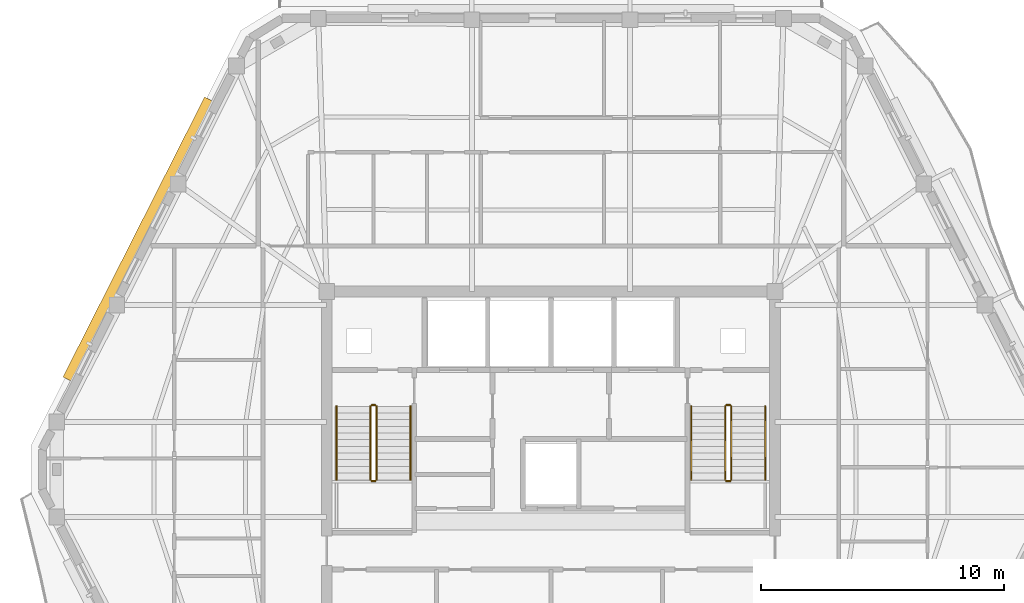
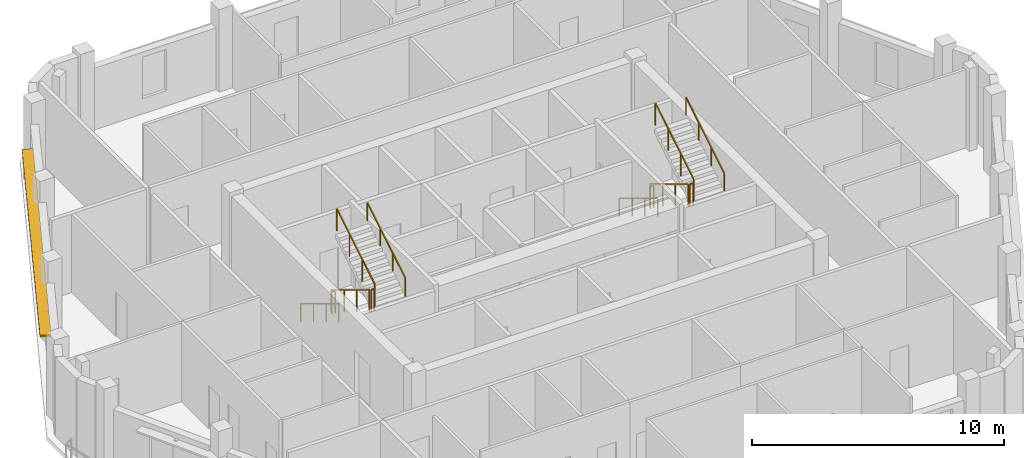
# One storey, part 10 of 11: 12 railings, 1 shading device.
"""IFC4 building model written with IfcOpenShell, lengths in metres."""

import ifcopenshell
import ifcopenshell.guid

model = None  # the IFC model being written
_history = None  # IfcOwnerHistory: only IFC2X3 demands one
_inside = {}  # id of a spatial element -> (the spatial element, [elements in it])
_under = {}  # id of a project, library or spatial element -> (it, [spatial elements below it])
_declared = {}  # id of a project -> (the project, [libraries it declares])
_typed = {}  # id of a type object -> (the type object, [elements of that type])
_made_of = {}  # id of a material, layer set ... -> (it, [elements and type objects made of it])


def new_model(schema):
    """Start an empty IFC model of exactly this schema.

    Asked for "IFC4X3", IfcOpenShell would pick the latest addendum, in which some entities
    have other attributes; the version numbers below select the first issue.
    IFC2X3 requires an IfcOwnerHistory on every rooted entity: one is made here for all.
    """
    global model, _history
    if schema == "IFC4X3":
        model = ifcopenshell.file(schema_version=(4, 3, 0, 0))
    else:
        model = ifcopenshell.file(schema=schema)
    _inside.clear()
    _under.clear()
    _declared.clear()
    _typed.clear()
    _made_of.clear()
    _history = None
    if model.schema == "IFC2X3":
        org = make("IfcOrganization", Name="unknown")
        user = make(
            "IfcPersonAndOrganization",
            ThePerson=make("IfcPerson", FamilyName="unknown"),
            TheOrganization=org,
        )
        app = make(
            "IfcApplication",
            ApplicationDeveloper=org,
            Version="unknown",
            ApplicationFullName="unknown",
            ApplicationIdentifier="unknown",
        )
        _history = make(
            "IfcOwnerHistory",
            OwningUser=user,
            OwningApplication=app,
            ChangeAction="ADDED",
            CreationDate=0,
        )
    return model


def make(cls, **values):
    """One entity of the class cls with the attributes given. An attribute that is None is left unset."""
    return model.create_entity(
        cls, **{name: value for name, value in values.items() if value is not None}
    )


def rooted(cls, **values):
    """An entity with a GlobalId (a new one), such as an element, a storey or a relation."""
    return make(cls, GlobalId=ifcopenshell.guid.new(), OwnerHistory=_history, **values)


def si_unit(unit_type, name, prefix=None):
    """IfcSIUnit, for example si_unit("LENGTHUNIT", "METRE", prefix="MILLI")."""
    return make("IfcSIUnit", UnitType=unit_type, Prefix=prefix, Name=name)


def assignment(units):
    """IfcUnitAssignment: the units of a project."""
    return None if units is None else make("IfcUnitAssignment", Units=units)


def point(xyz):
    """IfcCartesianPoint."""
    return None if xyz is None else make("IfcCartesianPoint", Coordinates=xyz)


def direction(xyz):
    """IfcDirection."""
    return None if xyz is None else make("IfcDirection", DirectionRatios=xyz)


def frame(location, z_axis=None, x_axis=None):
    """IfcAxis2Placement3D, a coordinate frame: its origin and axes. An axis left out is left unset."""
    return make(
        "IfcAxis2Placement3D",
        Location=point(location),
        Axis=direction(z_axis),
        RefDirection=direction(x_axis),
    )


def frame_2d(location, x_axis=None):
    """IfcAxis2Placement2D, a coordinate frame in the plane: its origin and x axis."""
    return make(
        "IfcAxis2Placement2D", Location=point(location), RefDirection=direction(x_axis)
    )


def origin():
    """The frame at (0, 0, 0) with its axes left unset."""
    return frame((0.0, 0.0, 0.0))


def origin_2d():
    """The frame at (0, 0) in the plane with its x axis left unset."""
    return frame_2d((0.0, 0.0))


def place(relative_to, where):
    """IfcLocalPlacement: puts the frame where relative to a parent placement (None: the world)."""
    return make(
        "IfcLocalPlacement", PlacementRelTo=relative_to, RelativePlacement=where
    )


def context(
    kind, dimensions, precision=None, world=None, true_north=None, identifier=None
):
    """IfcGeometricRepresentationContext, for example the 3D "Model" context."""
    return make(
        "IfcGeometricRepresentationContext",
        ContextIdentifier=identifier,
        ContextType=kind,
        CoordinateSpaceDimension=dimensions,
        Precision=precision,
        WorldCoordinateSystem=world,
        TrueNorth=true_north,
    )


def subcontext(parent, identifier, kind, view, scale=None):
    """IfcGeometricRepresentationSubContext, for example "Body" below "Model"."""
    return make(
        "IfcGeometricRepresentationSubContext",
        ContextIdentifier=identifier,
        ContextType=kind,
        ParentContext=parent,
        TargetScale=scale,
        TargetView=view,
    )


def project(units=None, contexts=None):
    """IfcProject with its units and contexts."""
    return rooted(
        "IfcProject",
        Name="project",
        RepresentationContexts=contexts,
        UnitsInContext=assignment(units),
    )


def spatial(cls, under=None, at=None, **own):
    """A site, building, storey or space (cls), placed at a placement, below another one or the project."""
    s = rooted(cls, ObjectPlacement=at, **own)
    if under is not None:
        _under.setdefault(under.id(), (under, []))[1].append(s)
    return s


def profile(cls, at=None, kind="AREA", **sizes):
    """A parametric profile (cls). Its sizes go by their IFC names, for example OverallWidth=200.0."""
    return make(cls, ProfileType=kind, Position=at, **sizes)


def rectangle(**sizes):
    """IfcRectangleProfileDef."""
    return profile("IfcRectangleProfileDef", **sizes)


def extrude(swept, where, along, depth):
    """IfcExtrudedAreaSolid: the profile swept, set in the frame where, extruded along a direction by depth."""
    return make(
        "IfcExtrudedAreaSolid",
        SweptArea=swept,
        Position=where,
        ExtrudedDirection=direction(along),
        Depth=depth,
    )


def shape(context_of_items, identifier, shape_type, items):
    """IfcShapeRepresentation: the items that make up one representation, for example the "Body"."""
    return make(
        "IfcShapeRepresentation",
        ContextOfItems=context_of_items,
        RepresentationIdentifier=identifier,
        RepresentationType=shape_type,
        Items=items,
    )


def material(Name=None, Category=None):
    """IfcMaterial."""
    return make("IfcMaterial", Name=Name, Category=Category)


def layer(
    of_material, thickness, ventilated=None, Name=None, Category=None, Priority=None
):
    """IfcMaterialLayer: one layer of a wall or slab, of a material (None: an air gap)."""
    return make(
        "IfcMaterialLayer",
        Material=of_material,
        LayerThickness=thickness,
        IsVentilated=ventilated,
        Name=Name,
        Category=Category,
        Priority=Priority,
    )


def layer_set(layers, Name=None):
    """IfcMaterialLayerSet."""
    return make("IfcMaterialLayerSet", MaterialLayers=layers, LayerSetName=Name)


def made_of(thing, what):
    """Note that an element or type object is made of a material, layer set ...; save() writes the relation."""
    if what is not None:
        _made_of.setdefault(what.id(), (what, []))[1].append(thing)
    return thing


def type_object(cls, material=None, **own):
    """A type object (cls), such as IfcWallType, which elements share."""
    return made_of(rooted(cls, **own), material)


def element(
    cls,
    number,
    at=None,
    inside=None,
    cuts=None,
    type_object=None,
    material=None,
    context=None,
    identifier="Body",
    shape_type=None,
    held_by="IfcProductDefinitionShape",
    body=None,
    shapes=None,
    **own,
):
    """One element of the class cls, such as IfcWall. Its Tag is "e" and its number.

    at: its placement. inside: the storey or other place that contains it. cuts: it is an
    opening in that element (IfcRelVoidsElement). A single representation is given by context,
    identifier, shape_type and body (its items); several are given by shapes. held_by: the class
    of the entity that holds the representations. save() writes the other relations.
    """
    e = rooted(cls, Tag="e%d" % number, ObjectPlacement=at, **own)
    if body is not None:
        shapes = [shape(context, identifier, shape_type, body)]
    if shapes is not None:
        e.Representation = make(held_by, Representations=shapes)
    if inside is not None:
        _inside.setdefault(inside.id(), (inside, []))[1].append(e)
    if cuts is not None:
        rooted(
            "IfcRelVoidsElement", RelatingBuildingElement=cuts, RelatedOpeningElement=e
        )
    if type_object is not None:
        _typed.setdefault(type_object.id(), (type_object, []))[1].append(e)
    return made_of(e, material)


def aggregate(whole, parts):
    """IfcRelAggregates: a whole, such as a stair, and the parts it consists of."""
    return rooted("IfcRelAggregates", RelatingObject=whole, RelatedObjects=parts)


def save(model, path):
    """Write the relations noted so far, then the file.

    IfcRelAggregates (storeys below a building ...), IfcRelContainedInSpatialStructure (elements
    in a storey), IfcRelDefinesByType, IfcRelAssociatesMaterial and IfcRelDeclares: one each for
    every whole, place, type object, material and project.
    """
    for whole, parts in _under.values():
        aggregate(whole, parts)
    for where, things in _inside.values():
        rooted(
            "IfcRelContainedInSpatialStructure",
            RelatedElements=things,
            RelatingStructure=where,
        )
    for kind, things in _typed.values():
        rooted("IfcRelDefinesByType", RelatedObjects=things, RelatingType=kind)
    for what, things in _made_of.values():
        rooted("IfcRelAssociatesMaterial", RelatedObjects=things, RelatingMaterial=what)
    for by, libraries in _declared.values():
        rooted("IfcRelDeclares", RelatingContext=by, RelatedDefinitions=libraries)
    model.write(path)


model = new_model("IFC4")

# Units and contexts
model_context = context("Model", 3, precision=1e-05, world=origin(), true_north=direction((0.0, 1.0)))
body_context = subcontext(model_context, "Body", "Model", "MODEL_VIEW")
ifc_project = project(units=[si_unit("LENGTHUNIT", "METRE"), si_unit("AREAUNIT", "SQUARE_METRE"), si_unit("VOLUMEUNIT", "CUBIC_METRE"), si_unit("PLANEANGLEUNIT", "RADIAN"), si_unit("MASSUNIT", "GRAM", prefix="KILO")], contexts=[model_context])

# Site, building, storey
site_placement = place(None, origin())
site = spatial("IfcSite", under=ifc_project, at=site_placement, CompositionType="ELEMENT")
building_placement = place(site_placement, origin())
building = spatial("IfcBuilding", under=site, at=building_placement, Name="Cinnabar Lancet Tower", CompositionType="ELEMENT")
storey_placement = place(building_placement, frame((0.0, 0.0, 291.5)))
storey = spatial("IfcBuildingStorey", under=building, at=storey_placement, Name="L77", CompositionType="ELEMENT", Elevation=291.5)

# Shading device
ifc_material_1 = material(Name="Pale limestone architectural aluminium sunshade", Category="masonry")
ifc_layer = layer(ifc_material_1, 0.080078125)
ifc_layer_set = layer_set([ifc_layer], Name="Pale limestone architectural aluminium sunshade")
shading_device_type = type_object("IfcShadingDeviceType", Name="ENV-SHD-LVR-450", PredefinedType="JALOUSIE", material=ifc_layer_set)
shading_device_placement = place(storey_placement, frame((15.43603515625, 35.27001953125, 2.639892578125), z_axis=(0.0, 0.0, 1.0), x_axis=(-0.451375984307, -0.89233386173, 0.0)))
element("IfcShadingDevice", 1, at=shading_device_placement, inside=storey, type_object=shading_device_type, Name="L77 Face 5 Horizontal Sunshade Canopy", PredefinedType="JALOUSIE", context=body_context, shape_type="SweptSolid", body=[
    extrude(rectangle(XDim=12.912109375, YDim=0.449951171875, at=origin_2d()), origin(), (0.0, 0.0, 1.0), 0.080078125),
])

# Railings
ifc_material_2 = material(Name="Painted galvanized steel balustrade", Category="steel")
railing_type_1 = type_object("IfcRailingType", Name="GUARD-STAIR", PredefinedType="GUARDRAIL", material=ifc_material_2)
railing_1_placement = place(storey_placement, frame((24.97509765625, 28.39990234375, 0.166748046875)))
element("IfcRailing", 2, at=railing_1_placement, inside=storey, type_object=railing_type_1, Name="L77 ST-1 stair guard 1", PredefinedType="GUARDRAIL", context=body_context, shape_type="SweptSolid", body=[
    extrude(rectangle(XDim=0.048095703125, YDim=0.048095703125, at=origin_2d()), frame((0.0, 0.0, 1.076171875), z_axis=(0.0, -0.855200612876, 0.518297126884), x_axis=(1.0, 0.0, 0.0)), (0.0, 0.0, 1.0), 3.537109375),
    extrude(rectangle(XDim=0.0419921875, YDim=0.0419921875, at=origin_2d()), origin(), (0.0, 0.0, 1.0), 1.052001953125),
    extrude(rectangle(XDim=0.0419921875, YDim=0.0419921875, at=origin_2d()), frame((0.0, -1.00830078125, 0.611083984375)), (0.0, 0.0, 1.0), 1.052001953125),
    extrude(rectangle(XDim=0.0419921875, YDim=0.0419921875, at=origin_2d()), frame((0.0, -2.0166015625, 1.22216796875)), (0.0, 0.0, 1.0), 1.052001953125),
    extrude(rectangle(XDim=0.0419921875, YDim=0.0419921875, at=origin_2d()), frame((0.0, -3.02490234375, 1.833251953125)), (0.0, 0.0, 1.0), 1.052001953125),
])
railing_2_placement = place(storey_placement, frame((25.02490234375, 25.324951171875, 2.0)))
element("IfcRailing", 3, at=railing_2_placement, inside=storey, type_object=railing_type_1, Name="L77 ST-1 stair guard 2", PredefinedType="GUARDRAIL", context=body_context, shape_type="SweptSolid", body=[
    extrude(rectangle(XDim=0.048095703125, YDim=0.048095703125, at=origin_2d()), frame((0.0, 0.0, 1.076171875), z_axis=(1.0, 0.0, 0.0), x_axis=(0.0, 1.0, 0.0)), (0.0, 0.0, 1.0), 0.150146484375),
    extrude(rectangle(XDim=0.0419921875, YDim=0.0419921875, at=origin_2d()), origin(), (0.0, 0.0, 1.0), 1.052001953125),
    extrude(rectangle(XDim=0.0419921875, YDim=0.0419921875, at=origin_2d()), frame((0.150146484375, 0.0, 0.0)), (0.0, 0.0, 1.0), 1.052001953125),
])
railing_3_placement = place(storey_placement, frame((25.22509765625, 25.375, 2.166748046875)))
element("IfcRailing", 4, at=railing_3_placement, inside=storey, type_object=railing_type_1, Name="L77 ST-1 stair guard 3", PredefinedType="GUARDRAIL", context=body_context, shape_type="SweptSolid", body=[
    extrude(rectangle(XDim=0.048095703125, YDim=0.048095703125, at=origin_2d()), frame((0.0, 0.0, 1.076171875), z_axis=(0.0, 0.855200612876, 0.518297126884), x_axis=(-1.0, 0.0, 0.0)), (0.0, 0.0, 1.0), 3.537109375),
    extrude(rectangle(XDim=0.0419921875, YDim=0.0419921875, at=origin_2d()), origin(), (0.0, 0.0, 1.0), 1.052001953125),
    extrude(rectangle(XDim=0.0419921875, YDim=0.0419921875, at=origin_2d()), frame((0.0, 1.00830078125, 0.611083984375)), (0.0, 0.0, 1.0), 1.052001953125),
    extrude(rectangle(XDim=0.0419921875, YDim=0.0419921875, at=origin_2d()), frame((0.0, 2.0166015625, 1.22216796875)), (0.0, 0.0, 1.0), 1.052001953125),
    extrude(rectangle(XDim=0.0419921875, YDim=0.0419921875, at=origin_2d()), frame((0.0, 3.02490234375, 1.833251953125)), (0.0, 0.0, 1.0), 1.052001953125),
])
railing_4_placement = place(storey_placement, frame((25.02490234375, 28.449951171875, 0.0)))
element("IfcRailing", 5, at=railing_4_placement, inside=storey, type_object=railing_type_1, Name="L77 ST-1 stair guard 4", PredefinedType="GUARDRAIL", context=body_context, shape_type="SweptSolid", body=[
    extrude(rectangle(XDim=0.048095703125, YDim=0.048095703125, at=origin_2d()), frame((0.0, 0.0, 1.076171875), z_axis=(1.0, 0.0, 0.0), x_axis=(0.0, 1.0, 0.0)), (0.0, 0.0, 1.0), 0.150146484375),
    extrude(rectangle(XDim=0.0419921875, YDim=0.0419921875, at=origin_2d()), origin(), (0.0, 0.0, 1.0), 1.052001953125),
    extrude(rectangle(XDim=0.0419921875, YDim=0.0419921875, at=origin_2d()), frame((0.150146484375, 0.0, 0.0)), (0.0, 0.0, 1.0), 1.052001953125),
])
railing_5_placement = place(storey_placement, frame((39.574951171875, 28.39990234375, 0.166748046875)))
element("IfcRailing", 6, at=railing_5_placement, inside=storey, type_object=railing_type_1, Name="L77 ST-2 stair guard 1", PredefinedType="GUARDRAIL", context=body_context, shape_type="SweptSolid", body=[
    extrude(rectangle(XDim=0.048095703125, YDim=0.048095703125, at=origin_2d()), frame((0.0, 0.0, 1.076171875), z_axis=(0.0, -0.855200612876, 0.518297126884), x_axis=(1.0, 0.0, 0.0)), (0.0, 0.0, 1.0), 3.537109375),
    extrude(rectangle(XDim=0.0419921875, YDim=0.0419921875, at=origin_2d()), origin(), (0.0, 0.0, 1.0), 1.052001953125),
    extrude(rectangle(XDim=0.0419921875, YDim=0.0419921875, at=origin_2d()), frame((0.0, -1.00830078125, 0.611083984375)), (0.0, 0.0, 1.0), 1.052001953125),
    extrude(rectangle(XDim=0.0419921875, YDim=0.0419921875, at=origin_2d()), frame((0.0, -2.0166015625, 1.22216796875)), (0.0, 0.0, 1.0), 1.052001953125),
    extrude(rectangle(XDim=0.0419921875, YDim=0.0419921875, at=origin_2d()), frame((0.0, -3.02490234375, 1.833251953125)), (0.0, 0.0, 1.0), 1.052001953125),
])
railing_6_placement = place(storey_placement, frame((39.625, 25.324951171875, 2.0)))
element("IfcRailing", 7, at=railing_6_placement, inside=storey, type_object=railing_type_1, Name="L77 ST-2 stair guard 2", PredefinedType="GUARDRAIL", context=body_context, shape_type="SweptSolid", body=[
    extrude(rectangle(XDim=0.048095703125, YDim=0.048095703125, at=origin_2d()), frame((0.0, 0.0, 1.076171875), z_axis=(1.0, 0.0, 0.0), x_axis=(0.0, 1.0, 0.0)), (0.0, 0.0, 1.0), 0.14990234375),
    extrude(rectangle(XDim=0.0419921875, YDim=0.0419921875, at=origin_2d()), origin(), (0.0, 0.0, 1.0), 1.052001953125),
    extrude(rectangle(XDim=0.0419921875, YDim=0.0419921875, at=origin_2d()), frame((0.14990234375, 0.0, 0.0)), (0.0, 0.0, 1.0), 1.052001953125),
])
railing_7_placement = place(storey_placement, frame((39.824951171875, 25.375, 2.166748046875)))
element("IfcRailing", 8, at=railing_7_placement, inside=storey, type_object=railing_type_1, Name="L77 ST-2 stair guard 3", PredefinedType="GUARDRAIL", context=body_context, shape_type="SweptSolid", body=[
    extrude(rectangle(XDim=0.048095703125, YDim=0.048095703125, at=origin_2d()), frame((0.0, 0.0, 1.076171875), z_axis=(0.0, 0.855200612876, 0.518297126884), x_axis=(-1.0, 0.0, 0.0)), (0.0, 0.0, 1.0), 3.537109375),
    extrude(rectangle(XDim=0.0419921875, YDim=0.0419921875, at=origin_2d()), origin(), (0.0, 0.0, 1.0), 1.052001953125),
    extrude(rectangle(XDim=0.0419921875, YDim=0.0419921875, at=origin_2d()), frame((0.0, 1.00830078125, 0.611083984375)), (0.0, 0.0, 1.0), 1.052001953125),
    extrude(rectangle(XDim=0.0419921875, YDim=0.0419921875, at=origin_2d()), frame((0.0, 2.0166015625, 1.22216796875)), (0.0, 0.0, 1.0), 1.052001953125),
    extrude(rectangle(XDim=0.0419921875, YDim=0.0419921875, at=origin_2d()), frame((0.0, 3.02490234375, 1.833251953125)), (0.0, 0.0, 1.0), 1.052001953125),
])
railing_8_placement = place(storey_placement, frame((39.625, 28.449951171875, 0.0)))
element("IfcRailing", 9, at=railing_8_placement, inside=storey, type_object=railing_type_1, Name="L77 ST-2 stair guard 4", PredefinedType="GUARDRAIL", context=body_context, shape_type="SweptSolid", body=[
    extrude(rectangle(XDim=0.048095703125, YDim=0.048095703125, at=origin_2d()), frame((0.0, 0.0, 1.076171875), z_axis=(1.0, 0.0, 0.0), x_axis=(0.0, 1.0, 0.0)), (0.0, 0.0, 1.0), 0.14990234375),
    extrude(rectangle(XDim=0.0419921875, YDim=0.0419921875, at=origin_2d()), origin(), (0.0, 0.0, 1.0), 1.052001953125),
    extrude(rectangle(XDim=0.0419921875, YDim=0.0419921875, at=origin_2d()), frame((0.14990234375, 0.0, 0.0)), (0.0, 0.0, 1.0), 1.052001953125),
])
ifc_material_3 = material(Name="Brushed stainless steel handrail", Category="steel")
railing_type_2 = type_object("IfcRailingType", Name="HANDRAIL-STAIR", PredefinedType="HANDRAIL", material=ifc_material_3)
railing_9_placement = place(storey_placement, frame((23.574951171875, 28.39990234375, 0.166748046875)))
element("IfcRailing", 10, at=railing_9_placement, inside=storey, type_object=railing_type_2, Name="L77 ST-1 stair handrail 1", PredefinedType="HANDRAIL", context=body_context, shape_type="SweptSolid", body=[
    extrude(rectangle(XDim=0.048095703125, YDim=0.048095703125, at=origin_2d()), frame((0.0, 0.0, 0.8759765625), z_axis=(0.0, -0.855200612876, 0.518297126884), x_axis=(1.0, 0.0, 0.0)), (0.0, 0.0, 1.0), 3.537109375),
    extrude(rectangle(XDim=0.0419921875, YDim=0.0419921875, at=origin_2d()), origin(), (0.0, 0.0, 1.0), 0.851806640625),
    extrude(rectangle(XDim=0.0419921875, YDim=0.0419921875, at=origin_2d()), frame((0.0, -1.00830078125, 0.611083984375)), (0.0, 0.0, 1.0), 0.851806640625),
    extrude(rectangle(XDim=0.0419921875, YDim=0.0419921875, at=origin_2d()), frame((0.0, -2.0166015625, 1.22216796875)), (0.0, 0.0, 1.0), 0.851806640625),
    extrude(rectangle(XDim=0.0419921875, YDim=0.0419921875, at=origin_2d()), frame((0.0, -3.02490234375, 1.833251953125)), (0.0, 0.0, 1.0), 0.851806640625),
])
railing_10_placement = place(storey_placement, frame((26.625, 25.375, 2.166748046875)))
element("IfcRailing", 11, at=railing_10_placement, inside=storey, type_object=railing_type_2, Name="L77 ST-1 stair handrail 2", PredefinedType="HANDRAIL", context=body_context, shape_type="SweptSolid", body=[
    extrude(rectangle(XDim=0.048095703125, YDim=0.048095703125, at=origin_2d()), frame((0.0, 0.0, 0.8759765625), z_axis=(0.0, 0.855200612876, 0.518297126884), x_axis=(-1.0, 0.0, 0.0)), (0.0, 0.0, 1.0), 3.537109375),
    extrude(rectangle(XDim=0.0419921875, YDim=0.0419921875, at=origin_2d()), origin(), (0.0, 0.0, 1.0), 0.851806640625),
    extrude(rectangle(XDim=0.0419921875, YDim=0.0419921875, at=origin_2d()), frame((0.0, 1.00830078125, 0.611083984375)), (0.0, 0.0, 1.0), 0.851806640625),
    extrude(rectangle(XDim=0.0419921875, YDim=0.0419921875, at=origin_2d()), frame((0.0, 2.0166015625, 1.22216796875)), (0.0, 0.0, 1.0), 0.851806640625),
    extrude(rectangle(XDim=0.0419921875, YDim=0.0419921875, at=origin_2d()), frame((0.0, 3.02490234375, 1.833251953125)), (0.0, 0.0, 1.0), 0.851806640625),
])
railing_11_placement = place(storey_placement, frame((38.175048828125, 28.39990234375, 0.166748046875)))
element("IfcRailing", 12, at=railing_11_placement, inside=storey, type_object=railing_type_2, Name="L77 ST-2 stair handrail 1", PredefinedType="HANDRAIL", context=body_context, shape_type="SweptSolid", body=[
    extrude(rectangle(XDim=0.048095703125, YDim=0.048095703125, at=origin_2d()), frame((0.0, 0.0, 0.8759765625), z_axis=(0.0, -0.855200612876, 0.518297126884), x_axis=(1.0, 0.0, 0.0)), (0.0, 0.0, 1.0), 3.537109375),
    extrude(rectangle(XDim=0.0419921875, YDim=0.0419921875, at=origin_2d()), origin(), (0.0, 0.0, 1.0), 0.851806640625),
    extrude(rectangle(XDim=0.0419921875, YDim=0.0419921875, at=origin_2d()), frame((0.0, -1.00830078125, 0.611083984375)), (0.0, 0.0, 1.0), 0.851806640625),
    extrude(rectangle(XDim=0.0419921875, YDim=0.0419921875, at=origin_2d()), frame((0.0, -2.0166015625, 1.22216796875)), (0.0, 0.0, 1.0), 0.851806640625),
    extrude(rectangle(XDim=0.0419921875, YDim=0.0419921875, at=origin_2d()), frame((0.0, -3.02490234375, 1.833251953125)), (0.0, 0.0, 1.0), 0.851806640625),
])
railing_12_placement = place(storey_placement, frame((41.22509765625, 25.375, 2.166748046875)))
element("IfcRailing", 13, at=railing_12_placement, inside=storey, type_object=railing_type_2, Name="L77 ST-2 stair handrail 2", PredefinedType="HANDRAIL", context=body_context, shape_type="SweptSolid", body=[
    extrude(rectangle(XDim=0.048095703125, YDim=0.048095703125, at=origin_2d()), frame((0.0, 0.0, 0.8759765625), z_axis=(0.0, 0.855200612876, 0.518297126884), x_axis=(-1.0, 0.0, 0.0)), (0.0, 0.0, 1.0), 3.537109375),
    extrude(rectangle(XDim=0.0419921875, YDim=0.0419921875, at=origin_2d()), origin(), (0.0, 0.0, 1.0), 0.851806640625),
    extrude(rectangle(XDim=0.0419921875, YDim=0.0419921875, at=origin_2d()), frame((0.0, 1.00830078125, 0.611083984375)), (0.0, 0.0, 1.0), 0.851806640625),
    extrude(rectangle(XDim=0.0419921875, YDim=0.0419921875, at=origin_2d()), frame((0.0, 2.0166015625, 1.22216796875)), (0.0, 0.0, 1.0), 0.851806640625),
    extrude(rectangle(XDim=0.0419921875, YDim=0.0419921875, at=origin_2d()), frame((0.0, 3.02490234375, 1.833251953125)), (0.0, 0.0, 1.0), 0.851806640625),
])

save(model, "model.ifc")
